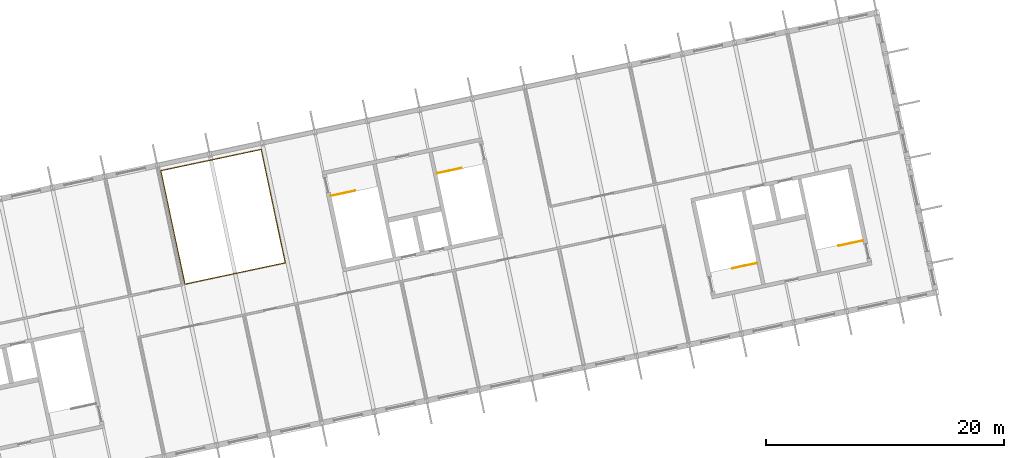
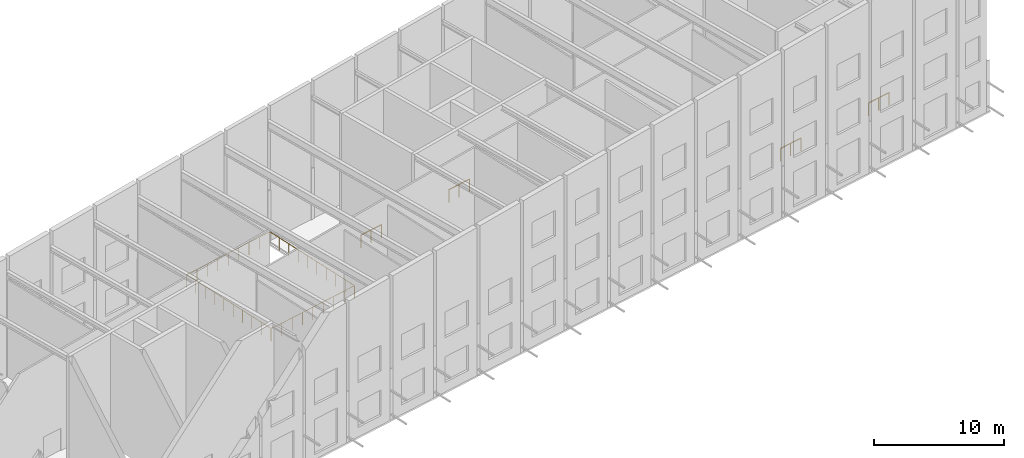
# One storey, part 69 of 69: 5 railings.
"""IFC4 building model written with IfcOpenShell, lengths in metres."""

from ifc_helpers import new_model, si_unit, direction, frame, origin, origin_2d, place, context, subcontext, project, spatial, circle, extrude, material, type_object, element, save


model = new_model("IFC4")

# Units and contexts
model_context = context("Model", 3, precision=1e-05, world=origin(), true_north=direction((0.0, 1.0)))
body_context = subcontext(model_context, "Body", "Model", "MODEL_VIEW")
ifc_project = project(units=[si_unit("LENGTHUNIT", "METRE"), si_unit("AREAUNIT", "SQUARE_METRE"), si_unit("VOLUMEUNIT", "CUBIC_METRE"), si_unit("PLANEANGLEUNIT", "RADIAN"), si_unit("MASSUNIT", "GRAM", prefix="KILO")], contexts=[model_context])

# Site, building, storey
site_placement = place(None, origin())
site = spatial("IfcSite", under=ifc_project, at=site_placement, CompositionType="ELEMENT")
building_placement = place(site_placement, origin())
building = spatial("IfcBuilding", under=site, at=building_placement, Name="Okhra Congress Centre", CompositionType="ELEMENT")
storey_placement = place(building_placement, frame((0.0, 0.0, 16.800048828125)))
storey = spatial("IfcBuildingStorey", under=building, at=storey_placement, Name="L03", CompositionType="ELEMENT", Elevation=16.800048828125)

# Railings
ifc_material = material(Name="Painted steel tube guard with vertical steel balusters", Category="steel")
railing_type_1 = type_object("IfcRailingType", Name="Steel guard 1200", PredefinedType="GUARDRAIL", material=ifc_material)
railing_1_placement = place(storey_placement, frame((155.17919921875, 60.907958984375, 0.0)))
element("IfcRailing", 1, at=railing_1_placement, inside=storey, type_object=railing_type_1, Name="Guard round the slab opening L03", PredefinedType="GUARDRAIL", context=body_context, shape_type="SweptSolid", body=[
    extrude(circle(Radius=0.02392578125, at=origin_2d()), frame((0.0, 0.0, 1.17578125), z_axis=(0.978146728319, 0.207915795165, 0.0), x_axis=(-0.207915795165, 0.978146728319, 0.0)), (0.0, 0.0, 1.0), 8.60009765625),
    extrude(circle(Radius=0.02392578125, at=origin_2d()), frame((8.412109375, 1.7880859375, 1.17578125), z_axis=(-0.207915502383, 0.978146790553, 0.0), x_axis=(-0.978146790553, -0.207915502383, 0.0)), (0.0, 0.0, 1.0), 9.724853515625),
    extrude(circle(Radius=0.02392578125, at=origin_2d()), frame((6.39013671875, 11.300537109375, 1.17578125), z_axis=(-0.978152501362, -0.207888633837, 0.0), x_axis=(0.207888633837, -0.978152501362, 0.0)), (0.0, 0.0, 1.0), 8.60009765625),
    extrude(circle(Radius=0.02392578125, at=origin_2d()), frame((-2.02197265625, 9.5126953125, 1.17578125), z_axis=(0.207916090984, -0.978146665439, 0.0), x_axis=(0.978146665439, 0.207916090984, 0.0)), (0.0, 0.0, 1.0), 9.625244140625),
    extrude(circle(Radius=0.02099609375, at=origin_2d()), origin(), (0.0, 0.0, 1.0), 1.15185546875),
    extrude(circle(Radius=0.02099609375, at=origin_2d()), frame((1.051513671875, 0.2236328125, 0.0)), (0.0, 0.0, 1.0), 1.15185546875),
    extrude(circle(Radius=0.02099609375, at=origin_2d()), frame((2.10302734375, 0.447021484375, 0.0)), (0.0, 0.0, 1.0), 1.15185546875),
    extrude(circle(Radius=0.02099609375, at=origin_2d()), frame((3.154541015625, 0.67041015625, 0.0)), (0.0, 0.0, 1.0), 1.15185546875),
    extrude(circle(Radius=0.02099609375, at=origin_2d()), frame((4.2060546875, 0.89404296875, 0.0)), (0.0, 0.0, 1.0), 1.15185546875),
    extrude(circle(Radius=0.02099609375, at=origin_2d()), frame((5.257568359375, 1.11767578125, 0.0)), (0.0, 0.0, 1.0), 1.15185546875),
    extrude(circle(Radius=0.02099609375, at=origin_2d()), frame((6.30908203125, 1.341064453125, 0.0)), (0.0, 0.0, 1.0), 1.15185546875),
    extrude(circle(Radius=0.02099609375, at=origin_2d()), frame((7.360595703125, 1.564453125, 0.0)), (0.0, 0.0, 1.0), 1.15185546875),
    extrude(circle(Radius=0.02099609375, at=origin_2d()), frame((8.412109375, 1.7880859375, 0.0)), (0.0, 0.0, 1.0), 1.15185546875),
    extrude(circle(Radius=0.02099609375, at=origin_2d()), frame((8.1875, 2.844970703125, 0.0)), (0.0, 0.0, 1.0), 1.15185546875),
    extrude(circle(Radius=0.02099609375, at=origin_2d()), frame((7.962890625, 3.90185546875, 0.0)), (0.0, 0.0, 1.0), 1.15185546875),
    extrude(circle(Radius=0.02099609375, at=origin_2d()), frame((7.738037109375, 4.958984375, 0.0)), (0.0, 0.0, 1.0), 1.15185546875),
    extrude(circle(Radius=0.02099609375, at=origin_2d()), frame((7.513427734375, 6.015869140625, 0.0)), (0.0, 0.0, 1.0), 1.15185546875),
    extrude(circle(Radius=0.02099609375, at=origin_2d()), frame((7.288818359375, 7.07275390625, 0.0)), (0.0, 0.0, 1.0), 1.15185546875),
    extrude(circle(Radius=0.02099609375, at=origin_2d()), frame((7.064208984375, 8.129638671875, 0.0)), (0.0, 0.0, 1.0), 1.15185546875),
    extrude(circle(Radius=0.02099609375, at=origin_2d()), frame((6.83935546875, 9.186767578125, 0.0)), (0.0, 0.0, 1.0), 1.15185546875),
    extrude(circle(Radius=0.02099609375, at=origin_2d()), frame((6.61474609375, 10.24365234375, 0.0)), (0.0, 0.0, 1.0), 1.15185546875),
    extrude(circle(Radius=0.02099609375, at=origin_2d()), frame((6.39013671875, 11.300537109375, 0.0)), (0.0, 0.0, 1.0), 1.15185546875),
    extrude(circle(Radius=0.02099609375, at=origin_2d()), frame((5.338623046875, 11.0771484375, 0.0)), (0.0, 0.0, 1.0), 1.15185546875),
    extrude(circle(Radius=0.02099609375, at=origin_2d()), frame((4.287109375, 10.853515625, 0.0)), (0.0, 0.0, 1.0), 1.15185546875),
    extrude(circle(Radius=0.02099609375, at=origin_2d()), frame((3.235595703125, 10.630126953125, 0.0)), (0.0, 0.0, 1.0), 1.15185546875),
    extrude(circle(Radius=0.02099609375, at=origin_2d()), frame((2.18408203125, 10.40673828125, 0.0)), (0.0, 0.0, 1.0), 1.15185546875),
    extrude(circle(Radius=0.02099609375, at=origin_2d()), frame((1.132568359375, 10.18310546875, 0.0)), (0.0, 0.0, 1.0), 1.15185546875),
    extrude(circle(Radius=0.02099609375, at=origin_2d()), frame((0.0810546875, 9.959716796875, 0.0)), (0.0, 0.0, 1.0), 1.15185546875),
    extrude(circle(Radius=0.02099609375, at=origin_2d()), frame((-0.970458984375, 9.736083984375, 0.0)), (0.0, 0.0, 1.0), 1.15185546875),
    extrude(circle(Radius=0.02099609375, at=origin_2d()), frame((-2.02197265625, 9.5126953125, 0.0)), (0.0, 0.0, 1.0), 1.15185546875),
    extrude(circle(Radius=0.02099609375, at=origin_2d()), frame((-1.799560546875, 8.466552734375, 0.0)), (0.0, 0.0, 1.0), 1.15185546875),
    extrude(circle(Radius=0.02099609375, at=origin_2d()), frame((-1.5771484375, 7.42041015625, 0.0)), (0.0, 0.0, 1.0), 1.15185546875),
    extrude(circle(Radius=0.02099609375, at=origin_2d()), frame((-1.35498046875, 6.37451171875, 0.0)), (0.0, 0.0, 1.0), 1.15185546875),
    extrude(circle(Radius=0.02099609375, at=origin_2d()), frame((-1.132568359375, 5.328369140625, 0.0)), (0.0, 0.0, 1.0), 1.15185546875),
    extrude(circle(Radius=0.02099609375, at=origin_2d()), frame((-0.91015625, 4.2822265625, 0.0)), (0.0, 0.0, 1.0), 1.15185546875),
    extrude(circle(Radius=0.02099609375, at=origin_2d()), frame((-0.687744140625, 3.236083984375, 0.0)), (0.0, 0.0, 1.0), 1.15185546875),
    extrude(circle(Radius=0.02099609375, at=origin_2d()), frame((-0.465576171875, 2.190185546875, 0.0)), (0.0, 0.0, 1.0), 1.15185546875),
    extrude(circle(Radius=0.02099609375, at=origin_2d()), frame((-0.2431640625, 1.14404296875, 0.0)), (0.0, 0.0, 1.0), 1.15185546875),
    extrude(circle(Radius=0.02099609375, at=origin_2d()), frame((-0.020751953125, 0.097900390625, 0.0)), (0.0, 0.0, 1.0), 1.15185546875),
])
railing_type_2 = type_object("IfcRailingType", Name="Steel stair guard 1200", PredefinedType="GUARDRAIL", material=ifc_material)
railing_2_placement = place(storey_placement, frame((167.406982421875, 68.312255859375, 0.0)))
element("IfcRailing", 2, at=railing_2_placement, inside=storey, type_object=railing_type_2, Name="L03 BS4A top well guard 1", PredefinedType="GUARDRAIL", context=body_context, shape_type="SweptSolid", body=[
    extrude(circle(Radius=0.02392578125, at=origin_2d()), frame((0.0, 0.0, 1.17578125), z_axis=(0.97815826, 0.207861536591, 0.0), x_axis=(-0.207861536591, 0.97815826, 0.0)), (0.0, 0.0, 1.0), 2.10009765625),
    extrude(circle(Radius=0.02099609375, at=origin_2d()), origin(), (0.0, 0.0, 1.0), 1.15185546875),
    extrude(circle(Radius=0.02099609375, at=origin_2d()), frame((1.027099609375, 0.21826171875, 0.0)), (0.0, 0.0, 1.0), 1.15185546875),
    extrude(circle(Radius=0.02099609375, at=origin_2d()), frame((2.05419921875, 0.4365234375, 0.0)), (0.0, 0.0, 1.0), 1.15185546875),
])
railing_3_placement = place(storey_placement, frame((176.30810546875, 70.2041015625, 0.0)))
element("IfcRailing", 3, at=railing_3_placement, inside=storey, type_object=railing_type_2, Name="L03 BS4B top well guard 1", PredefinedType="GUARDRAIL", context=body_context, shape_type="SweptSolid", body=[
    extrude(circle(Radius=0.02392578125, at=origin_2d()), frame((0.0, 0.0, 1.17578125), z_axis=(0.978134617382, 0.207972763311, 0.0), x_axis=(-0.207972763311, 0.978134617382, 0.0)), (0.0, 0.0, 1.0), 2.10009765625),
    extrude(circle(Radius=0.02099609375, at=origin_2d()), origin(), (0.0, 0.0, 1.0), 1.15185546875),
    extrude(circle(Radius=0.02099609375, at=origin_2d()), frame((1.027099609375, 0.21826171875, 0.0)), (0.0, 0.0, 1.0), 1.15185546875),
    extrude(circle(Radius=0.02099609375, at=origin_2d()), frame((2.05419921875, 0.436767578125, 0.0)), (0.0, 0.0, 1.0), 1.15185546875),
])
railing_4_placement = place(storey_placement, frame((203.160888671875, 62.672607421875, 0.0)))
element("IfcRailing", 4, at=railing_4_placement, inside=storey, type_object=railing_type_2, Name="L03 BS5A top well guard 1", PredefinedType="GUARDRAIL", context=body_context, shape_type="SweptSolid", body=[
    extrude(circle(Radius=0.02392578125, at=origin_2d()), frame((0.0, 0.0, 1.17578125), z_axis=(-0.978134617382, -0.207972763311, 0.0), x_axis=(0.207972763311, -0.978134617382, 0.0)), (0.0, 0.0, 1.0), 2.10009765625),
    extrude(circle(Radius=0.02099609375, at=origin_2d()), origin(), (0.0, 0.0, 1.0), 1.15185546875),
    extrude(circle(Radius=0.02099609375, at=origin_2d()), frame((-1.027099609375, -0.21826171875, 0.0)), (0.0, 0.0, 1.0), 1.15185546875),
    extrude(circle(Radius=0.02099609375, at=origin_2d()), frame((-2.05419921875, -0.436767578125, 0.0)), (0.0, 0.0, 1.0), 1.15185546875),
])
railing_5_placement = place(storey_placement, frame((212.06201171875, 64.564453125, 0.0)))
element("IfcRailing", 5, at=railing_5_placement, inside=storey, type_object=railing_type_2, Name="L03 BS5B top well guard 1", PredefinedType="GUARDRAIL", context=body_context, shape_type="SweptSolid", body=[
    extrude(circle(Radius=0.02392578125, at=origin_2d()), frame((0.0, 0.0, 1.17578125), z_axis=(-0.978153236239, -0.207885176084, 0.0), x_axis=(0.207885176084, -0.978153236239, 0.0)), (0.0, 0.0, 1.0), 2.099853515625),
    extrude(circle(Radius=0.02099609375, at=origin_2d()), origin(), (0.0, 0.0, 1.0), 1.15185546875),
    extrude(circle(Radius=0.02099609375, at=origin_2d()), frame((-1.02685546875, -0.21826171875, 0.0)), (0.0, 0.0, 1.0), 1.15185546875),
    extrude(circle(Radius=0.02099609375, at=origin_2d()), frame((-2.053955078125, -0.4365234375, 0.0)), (0.0, 0.0, 1.0), 1.15185546875),
])

save(model, "model.ifc")
